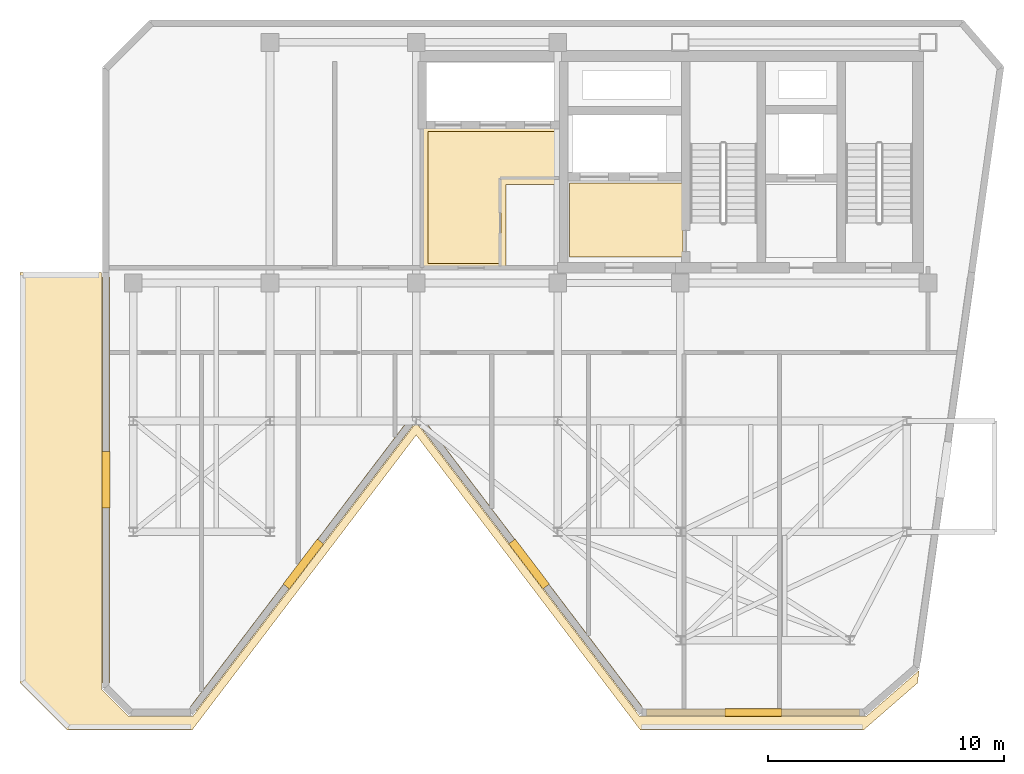
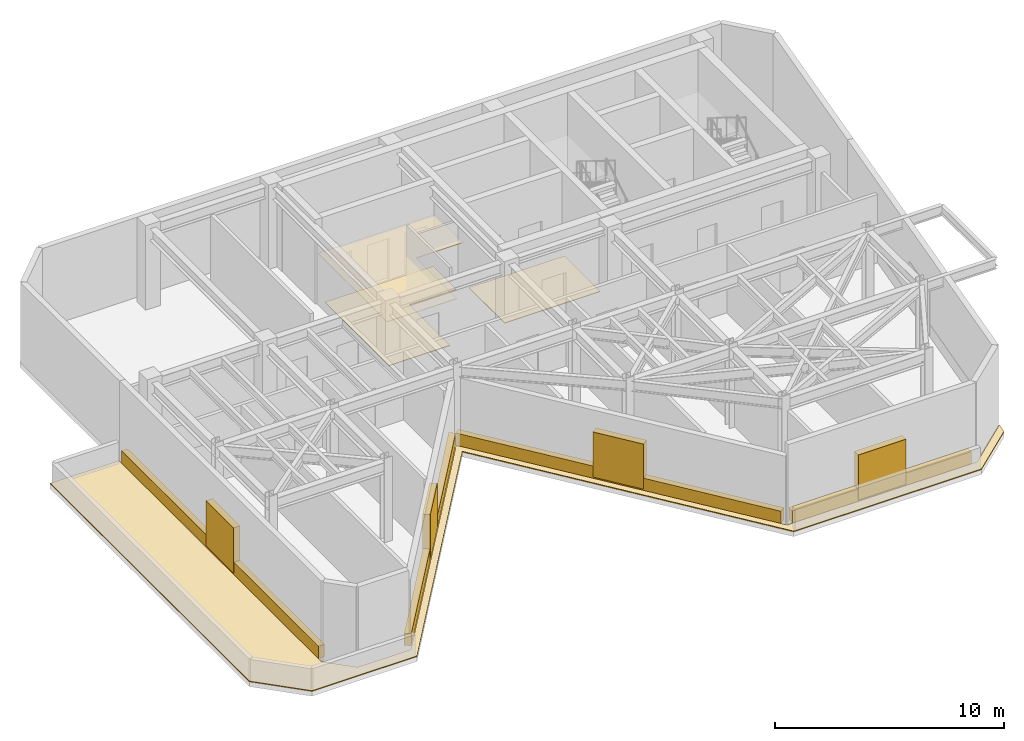
# One storey, part 5 of 6: 8 coverings, 4 shading devices.
"""IFC4 building model written with IfcOpenShell, lengths in metres."""

from ifc_helpers import new_model, si_unit, direction, frame, origin, origin_2d, place, context, subcontext, project, spatial, polyline, rectangle, outline, extrude, material, layer, layer_set, type_object, element, save


model = new_model("IFC4")

# Units and contexts
model_context = context("Model", 3, precision=1e-05, world=origin(), true_north=direction((0.0, 1.0)))
body_context = subcontext(model_context, "Body", "Model", "MODEL_VIEW")
ifc_project = project(units=[si_unit("LENGTHUNIT", "METRE"), si_unit("AREAUNIT", "SQUARE_METRE"), si_unit("VOLUMEUNIT", "CUBIC_METRE"), si_unit("PLANEANGLEUNIT", "RADIAN"), si_unit("MASSUNIT", "GRAM", prefix="KILO")], contexts=[model_context])

# Site, building, storey
site_placement = place(None, origin())
site = spatial("IfcSite", under=ifc_project, at=site_placement, CompositionType="ELEMENT")
building_placement = place(site_placement, origin())
building = spatial("IfcBuilding", under=site, at=building_placement, Name="Kravanh Interchange Tower", CompositionType="ELEMENT")
storey_placement = place(building_placement, frame((0.0, 0.0, 277.800048828125)))
storey = spatial("IfcBuildingStorey", under=building, at=storey_placement, Name="L68", CompositionType="ELEMENT", Elevation=277.800048828125)

# Shading devices
ifc_material_1 = material(Name="Extruded Bronze Aluminium Acoustic Blades", Category="aluminium")
ifc_layer_1 = layer(ifc_material_1, 0.219970703125)
ifc_layer_set_1 = layer_set([ifc_layer_1], Name="Acoustic Weatherproof Plant Louvre Bank")
shading_device_type = type_object("IfcShadingDeviceType", Name="Acoustic Weatherproof Plant Louvre Bank", PredefinedType="JALOUSIE", material=ifc_layer_set_1)
for number, where, z_axis, x_axis, name in (
    (1, (31.639892578125, 28.9990234375, 0.10009765625), (0.0, 0.0, 1.0), (0.0, 1.0, 0.0), "L68 Exterior Acoustic Louvre 1"),
    (2, (59.085693359375, 19.139892578125, 0.10009765625), (0.0, 0.0, 1.0), (-1.0, 0.0, 0.0), "L68 Exterior Acoustic Louvre 9"),
    (3, (49.584716796875, 25.435791015625, 0.10009765625), (0.0, 0.0, 1.0), (-0.605083267539, 0.796162194119, 0.0), "L68 Exterior Acoustic Louvre 10"),
    (4, (40.015380859375, 25.435791015625, 0.10009765625), (0.0, 0.0, 1.0), (-0.605083267539, -0.796162194119, 0.0), "L68 Exterior Acoustic Louvre 11"),
):
    element("IfcShadingDevice", number, at=place(storey_placement, frame(where, z_axis=z_axis, x_axis=x_axis)), inside=storey, type_object=shading_device_type, Name=name, PredefinedType="JALOUSIE", context=body_context, shape_type="SweptSolid", body=[
        extrude(rectangle(XDim=2.39990234375, YDim=0.340087890625, at=origin_2d()), origin(), (0.0, 0.0, 1.0), 2.39990234375),
    ])

# Coverings
ifc_material_2 = material(Name="Anodised Champagne Bronze Aluminium", Category="aluminium")
ifc_layer_2 = layer(ifc_material_2, 0.02490234375)
ifc_layer_set_2 = layer_set([ifc_layer_2], Name="Anodised Bronze Spandrel Fascia Cladding 25mm")
covering_type_1 = type_object("IfcCoveringType", Name="Anodised Bronze Spandrel Fascia Cladding 25mm", PredefinedType="CLADDING", material=ifc_layer_set_2)
covering_1_placement = place(storey_placement, frame((31.639892578125, 28.9990234375, 0.02490234375), z_axis=(0.0, 0.0, 1.0), x_axis=(0.0, 1.0, 0.0)))
element("IfcCovering", 5, at=covering_1_placement, inside=storey, type_object=covering_type_1, Name="L68 Bronze Fascia Cladding 1", PredefinedType="CLADDING", context=body_context, shape_type="SweptSolid", body=[
    extrude(rectangle(XDim=17.201904296875, YDim=0.31005859375, at=origin_2d()), origin(), (0.0, 0.0, 1.0), 0.64990234375),
])
covering_2_placement = place(storey_placement, frame((59.085693359375, 19.139892578125, 0.02490234375), z_axis=(0.0, 0.0, 1.0), x_axis=(-1.0, 0.0, 0.0)))
element("IfcCovering", 6, at=covering_2_placement, inside=storey, type_object=covering_type_1, Name="L68 Bronze Fascia Cladding 9", PredefinedType="CLADDING", context=body_context, shape_type="SweptSolid", body=[
    extrude(rectangle(XDim=9.031982421875, YDim=0.31005859375, at=origin_2d()), origin(), (0.0, 0.0, 1.0), 0.64990234375),
])
for number, where, z_axis, x_axis, name in (
    (7, (49.584716796875, 25.435791015625, 0.02490234375), (0.0, 0.0, 1.0), (-0.605083267539, 0.796162194119, 0.0), "L68 Bronze Fascia Cladding 10"),
    (8, (40.015380859375, 25.435791015625, 0.02490234375), (0.0, 0.0, 1.0), (-0.605083267539, -0.796162194119, 0.0), "L68 Bronze Fascia Cladding 11"),
):
    element("IfcCovering", number, at=place(storey_placement, frame(where, z_axis=z_axis, x_axis=x_axis)), inside=storey, type_object=covering_type_1, Name=name, PredefinedType="CLADDING", context=body_context, shape_type="SweptSolid", body=[
        extrude(rectangle(XDim=15.4150390625, YDim=0.31005859375, at=origin_2d()), origin(), (0.0, 0.0, 1.0), 0.64990234375),
    ])
ifc_material_3 = material(Name="Cementitious Terrazzo Tile")
ifc_layer_3 = layer(ifc_material_3, 0.030029296875)
ifc_layer_set_3 = layer_set([ifc_layer_3], Name="Honed Terrazzo Lobby Flooring 30mm")
covering_type_2 = type_object("IfcCoveringType", Name="Honed Terrazzo Lobby Flooring 30mm", PredefinedType="FLOORING", material=ifc_layer_set_3)
covering_3_placement = place(storey_placement, origin())
element("IfcCovering", 9, at=covering_3_placement, inside=storey, type_object=covering_type_2, Name="L68 Firefighting Lobby Floor Finish", PredefinedType="FLOORING", context=body_context, shape_type="SweptSolid", body=[
    extrude(outline(polyline([(56.1201171875, 38.4599609375), (51.300048828125, 38.4599609375), (51.300048828125, 41.580078125), (56.1201171875, 41.580078125), (56.1201171875, 38.4599609375)])), origin(), (0.0, 0.0, 1.0), 0.030029296875),
])
covering_4_placement = place(storey_placement, origin())
element("IfcCovering", 10, at=covering_4_placement, inside=storey, type_object=covering_type_2, Name="L68 High-Rise Lift Lobby Floor Finish", PredefinedType="FLOORING", context=body_context, shape_type="SweptSolid", body=[
    extrude(outline(polyline([(45.300048828125, 43.77001953125), (50.77001953125, 43.77001953125), (50.77001953125, 41.75), (48.389892578125, 41.75), (48.389892578125, 38.179931640625), (45.300048828125, 38.179931640625), (45.300048828125, 43.77001953125)])), origin(), (0.0, 0.0, 1.0), 0.030029296875),
])
ifc_material_4 = material(Name="SBS Modified Bitumen and XPS Insulation")
ifc_layer_4 = layer(ifc_material_4, 0.044921875)
ifc_layer_set_4 = layer_set([ifc_layer_4], Name="Insulated Waterproof Roofing Membrane 45mm")
covering_type_3 = type_object("IfcCoveringType", Name="Insulated Waterproof Roofing Membrane 45mm", PredefinedType="ROOFING", material=ifc_layer_set_4)
covering_5_placement = place(storey_placement, origin())
element("IfcCovering", 11, at=covering_5_placement, inside=storey, type_object=covering_type_3, Name="L68 Stepped Roof Waterproof Membrane 1", PredefinedType="ROOFING", context=body_context, shape_type="SweptSolid", body=[
    extrude(outline(polyline([(63.769775390625, 18.39990234375), (54.300048828125, 18.39990234375), (44.800048828125, 30.89990234375), (35.300048828125, 18.39990234375), (30.0, 18.39990234375), (28.0, 20.39990234375), (28.0, 37.800048828125), (31.4599609375, 37.800048828125), (31.4599609375, 20.123291015625), (32.623291015625, 18.9599609375), (35.31982421875, 18.9599609375), (44.800048828125, 31.433837890625), (54.2802734375, 18.9599609375), (63.868896484375, 18.9599609375), (66.123779296875, 20.920166015625), (66.048095703125, 20.380615234375), (63.769775390625, 18.39990234375)])), origin(), (0.0, 0.0, 1.0), 0.044921875),
])
ifc_material_5 = material(Name="Acoustic Mineral Fibre Tile on Aluminium Grid", Category="aluminium")
ifc_layer_5 = layer(ifc_material_5, 0.02490234375)
ifc_layer_set_5 = layer_set([ifc_layer_5], Name="Perforated Acoustic Mineral Ceiling 25mm")
covering_type_4 = type_object("IfcCoveringType", Name="Perforated Acoustic Mineral Ceiling 25mm", PredefinedType="CEILING", material=ifc_layer_set_5)
covering_6_placement = place(storey_placement, frame((0.0, 0.0, 2.550048828125)))
element("IfcCovering", 12, at=covering_6_placement, inside=storey, type_object=covering_type_4, Name="L68 High-Rise Lift Lobby Suspended Ceiling", PredefinedType="CEILING", context=body_context, shape_type="SweptSolid", body=[
    extrude(outline(polyline([(50.989990234375, 41.530029296875), (48.610107421875, 41.530029296875), (48.610107421875, 37.9599609375), (45.080078125, 37.9599609375), (45.080078125, 43.989990234375), (50.989990234375, 43.989990234375), (50.989990234375, 41.530029296875)])), origin(), (0.0, 0.0, 1.0), 0.02490234375),
])

save(model, "model.ifc")
